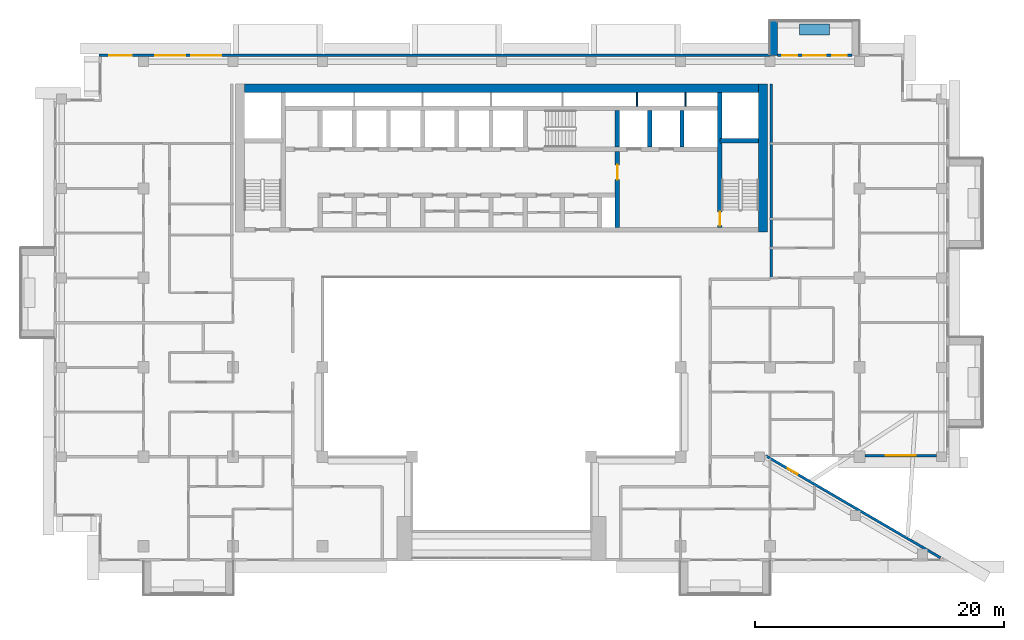
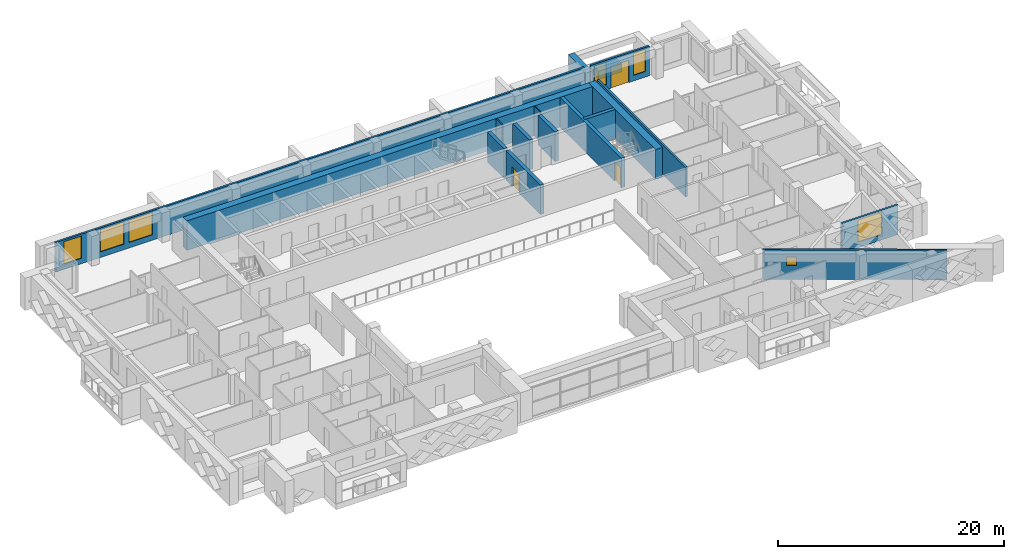
# One storey, part 11 of 20: 17 walls, 7 windows, 3 doors, 10 openings.
"""IFC4 building model written with IfcOpenShell, lengths in metres."""

from ifc_helpers import new_model, si_unit, direction, frame, frame_2d, origin, place, context, subcontext, project, spatial, rectangle, extrude, material, layer, layer_set, type_object, element, fill, save


model = new_model("IFC4")

# Units and contexts
model_context = context("Model", 3, precision=1e-05, world=origin(), true_north=direction((0.0, 1.0)))
body_context = subcontext(model_context, "Body", "Model", "MODEL_VIEW")
ifc_project = project(units=[si_unit("LENGTHUNIT", "METRE"), si_unit("AREAUNIT", "SQUARE_METRE"), si_unit("VOLUMEUNIT", "CUBIC_METRE"), si_unit("PLANEANGLEUNIT", "RADIAN"), si_unit("MASSUNIT", "GRAM", prefix="KILO")], contexts=[model_context])

# Site, building, storey
site_placement = place(None, origin())
site = spatial("IfcSite", under=ifc_project, at=site_placement, CompositionType="ELEMENT")
building_placement = place(site_placement, origin())
building = spatial("IfcBuilding", under=site, at=building_placement, Name="Saffron Iwan Residences", CompositionType="ELEMENT")
storey_placement = place(building_placement, frame((0.0, 0.0, 188.5)))
storey = spatial("IfcBuildingStorey", under=building, at=storey_placement, Name="L50", CompositionType="ELEMENT", Elevation=188.5)

# Walls
ifc_material_1 = material(Name="Concrete C50/60 white painted", Category="concrete")
ifc_layer_1 = layer(ifc_material_1, 0.60009765625)
ifc_layer_set_1 = layer_set([ifc_layer_1], Name="Concrete C50/60 white painted")
wall_type_1 = type_object("IfcWallType", Name="BALCONY FIN 600", PredefinedType="SOLIDWALL", material=ifc_layer_set_1)
wall_1_placement = place(storey_placement, frame((72.300048828125, 80.300048828125, 0.0), z_axis=(0.0, 0.0, 1.0), x_axis=(0.0, 1.0, 0.0)))
element("IfcWall", 1, at=wall_1_placement, inside=storey, type_object=wall_type_1, Name="Balcony fin L50 F5-0b", PredefinedType="SOLIDWALL", context=body_context, shape_type="SweptSolid", body=[
    extrude(rectangle(XDim=2.800048828125, YDim=0.60009765625, at=frame_2d((1.39990234375, 0.0))), origin(), (0.0, 0.0, 1.0), 2.85009765625),
])
ifc_material_2 = material(Name="Concrete C35/45 white painted", Category="concrete")
ifc_layer_2 = layer(ifc_material_2, 0.14990234375)
ifc_layer_set_2 = layer_set([ifc_layer_2], Name="Concrete C35/45 white painted")
wall_type_2 = type_object("IfcWallType", Name="BALCONY PLANTER", PredefinedType="SOLIDWALL", material=ifc_layer_set_2)
wall_2_placement = place(storey_placement, frame((76.800048828125, 82.375, 0.0), z_axis=(0.0, 0.0, 1.0), x_axis=(-1.0, 0.0, 0.0)))
element("IfcWall", 2, at=wall_2_placement, inside=storey, type_object=wall_type_2, Name="PLANTER L50 F5-0", PredefinedType="SOLIDWALL", context=body_context, shape_type="SweptSolid", body=[
    extrude(rectangle(XDim=2.400146484375, YDim=0.89990234375, at=frame_2d((1.2001953125, 0.0))), origin(), (0.0, 0.0, 1.0), 0.89990234375),
])

# Wall, opening, window
ifc_material_3 = material(Name="Concrete C40/50", Category="concrete")
ifc_layer_3 = layer(ifc_material_3, 0.199951171875)
ifc_layer_set_3 = layer_set([ifc_layer_3], Name="Concrete C40/50")
wall_type_3 = type_object("IfcWallType", Name="EXTERNAL WALL 200", PredefinedType="SOLIDWALL", material=ifc_layer_set_3)
wall_3_placement = place(storey_placement, frame((85.71923828125, 39.88134765625, 0.0), z_axis=(0.0, 0.0, 1.0), x_axis=(-0.86377618652, 0.503875678716, 0.0)))
wall_3 = element("IfcWall", 3, at=wall_3_placement, inside=storey, type_object=wall_type_3, Name="External wall L50 F0.0", PredefinedType="SOLIDWALL", context=body_context, shape_type="SweptSolid", body=[
    extrude(rectangle(XDim=16.31103515625, YDim=0.199951171875, at=frame_2d((8.155517578125, 0.0))), origin(), (0.0, 0.0, 1.0), 3.199951171875),
])
opening_1_placement = place(wall_3_placement, frame((13.32568359375, 0.0, 1.5)))
opening_1 = element("IfcOpeningElement", 4, at=opening_1_placement, cuts=wall_3, Name="Opening W6", PredefinedType="OPENING", context=body_context, shape_type="SweptSolid", body=[
    extrude(rectangle(XDim=0.89990234375, YDim=0.89990234375, at=frame_2d((0.449951171875, 0.449951171875))), frame((0.0, 0.10986328125, 0.0), z_axis=(0.0, -1.0, 0.0), x_axis=(1.0, 0.0, 0.0)), (0.0, 0.0, 1.0), 0.219970703125),
])
ifc_material_4 = material(Name="Clear glass, laminated double glazed", Category="glass")
window_type_1 = type_object("IfcWindowType", Name="WINDOW 900 x 900 BATH", PartitioningType="SINGLE_PANEL", PredefinedType="WINDOW", material=ifc_material_4)
window_1_placement = place(opening_1_placement, origin())
window_1 = element("IfcWindow", 5, at=window_1_placement, inside=storey, type_object=window_type_1, Name="Window L50 F0.0", OverallHeight=0.89990234375, OverallWidth=0.89990234375, PartitioningType="SINGLE_PANEL", PredefinedType="WINDOW", context=body_context, shape_type="SweptSolid", body=[
    extrude(rectangle(XDim=0.89990234375, YDim=0.89990234375, at=frame_2d((0.449951171875, 0.449951171875))), frame((0.0, 0.030029296875, 0.0), z_axis=(0.0, -1.0, 0.0), x_axis=(1.0, 0.0, 0.0)), (0.0, 0.0, 1.0), 0.06005859375),
])
fill(opening_1, window_1)

wall_4_placement = place(storey_placement, frame((79.64990234375, 48.10009765625, 0.0), z_axis=(0.0, 0.0, 1.0), x_axis=(1.0, 0.0, 0.0)))
wall_4 = element("IfcWall", 6, at=wall_4_placement, inside=storey, type_object=wall_type_3, Name="External wall L50 F1.1", PredefinedType="SOLIDWALL", context=body_context, shape_type="SweptSolid", body=[
    extrude(rectangle(XDim=5.75, YDim=0.199951171875, at=frame_2d((2.875, 0.0))), origin(), (0.0, 0.0, 1.0), 3.199951171875),
])
opening_2_placement = place(wall_4_placement, frame((1.675048828125, 0.0, 0.60009765625)))
opening_2 = element("IfcOpeningElement", 7, at=opening_2_placement, cuts=wall_4, Name="Opening W1", PredefinedType="OPENING", context=body_context, shape_type="SweptSolid", body=[
    extrude(rectangle(XDim=2.39990234375, YDim=2.39990234375, at=frame_2d((1.199951171875, 1.199951171875))), frame((0.0, 0.10986328125, 0.0), z_axis=(0.0, -1.0, 0.0), x_axis=(1.0, 0.0, 0.0)), (0.0, 0.0, 1.0), 0.219970703125),
])
window_type_2 = type_object("IfcWindowType", Name="WINDOW 2400 x 2400", PartitioningType="DOUBLE_PANEL_VERTICAL", PredefinedType="WINDOW", material=ifc_material_4)
window_2_placement = place(opening_2_placement, origin())
window_2 = element("IfcWindow", 8, at=window_2_placement, inside=storey, type_object=window_type_2, Name="Window L50 F1.0", OverallHeight=2.39990234375, OverallWidth=2.39990234375, PartitioningType="DOUBLE_PANEL_VERTICAL", PredefinedType="WINDOW", context=body_context, shape_type="SweptSolid", body=[
    extrude(rectangle(XDim=2.39990234375, YDim=2.39990234375, at=frame_2d((1.199951171875, 1.199951171875))), frame((0.0, 0.030029296875, 0.0), z_axis=(0.0, -1.0, 0.0), x_axis=(1.0, 0.0, 0.0)), (0.0, 0.0, 1.0), 0.06005859375),
])
fill(opening_2, window_2)

# Wall, openings, door, windows
wall_5_placement = place(storey_placement, frame((78.60009765625, 80.300048828125, 0.0), z_axis=(0.0, 0.0, 1.0), x_axis=(-1.0, 0.0, 0.0)))
wall_5 = element("IfcWall", 9, at=wall_5_placement, inside=storey, type_object=wall_type_3, Name="External wall L50 F5.1", PredefinedType="SOLIDWALL", context=body_context, shape_type="SweptSolid", body=[
    extrude(rectangle(XDim=6.0, YDim=0.199951171875, at=frame_2d((3.0, 0.0))), origin(), (0.0, 0.0, 1.0), 3.199951171875),
])
opening_3_placement = place(wall_5_placement, frame((2.10009765625, 0.0, 0.0)))
opening_3 = element("IfcOpeningElement", 10, at=opening_3_placement, cuts=wall_5, Name="Opening BD1", PredefinedType="OPENING", context=body_context, shape_type="SweptSolid", body=[
    extrude(rectangle(XDim=1.800048828125, YDim=2.39990234375, at=frame_2d((0.89990234375, 1.199951171875))), frame((0.0, 0.10986328125, 0.0), z_axis=(0.0, -1.0, 0.0), x_axis=(1.0, 0.0, 0.0)), (0.0, 0.0, 1.0), 0.219970703125),
])
opening_4_placement = place(wall_5_placement, frame((0.39990234375, 0.0, 0.60009765625)))
opening_4 = element("IfcOpeningElement", 11, at=opening_4_placement, cuts=wall_5, Name="Opening W3", PredefinedType="OPENING", context=body_context, shape_type="SweptSolid", body=[
    extrude(rectangle(XDim=1.199951171875, YDim=2.39990234375, at=frame_2d((0.60009765625, 1.199951171875))), frame((0.0, 0.10986328125, 0.0), z_axis=(0.0, -1.0, 0.0), x_axis=(1.0, 0.0, 0.0)), (0.0, 0.0, 1.0), 0.219970703125),
])
opening_5_placement = place(wall_5_placement, frame((4.39990234375, 0.0, 0.60009765625)))
opening_5 = element("IfcOpeningElement", 12, at=opening_5_placement, cuts=wall_5, Name="Opening W3", PredefinedType="OPENING", context=body_context, shape_type="SweptSolid", body=[
    extrude(rectangle(XDim=1.199951171875, YDim=2.39990234375, at=frame_2d((0.60009765625, 1.199951171875))), frame((0.0, 0.10986328125, 0.0), z_axis=(0.0, -1.0, 0.0), x_axis=(1.0, 0.0, 0.0)), (0.0, 0.0, 1.0), 0.219970703125),
])
door_type_1 = type_object("IfcDoorType", Name="BALCONY DOOR 1800 x 2400", OperationType="DOUBLE_DOOR_SLIDING", PredefinedType="DOOR", material=ifc_material_4)
door_1_placement = place(opening_3_placement, origin())
door_1 = element("IfcDoor", 13, at=door_1_placement, inside=storey, type_object=door_type_1, Name="Balcony door L50 F5.0", OperationType="DOUBLE_DOOR_SLIDING", OverallHeight=2.39990234375, OverallWidth=1.800048828125, PredefinedType="DOOR", context=body_context, shape_type="SweptSolid", body=[
    extrude(rectangle(XDim=1.800048828125, YDim=2.39990234375, at=frame_2d((0.89990234375, 1.199951171875))), frame((0.0, 0.02490234375, 0.0), z_axis=(0.0, -1.0, 0.0), x_axis=(1.0, 0.0, 0.0)), (0.0, 0.0, 1.0), 0.050048828125),
])
fill(opening_3, door_1)
window_type_3 = type_object("IfcWindowType", Name="WINDOW 1200 x 2400", PartitioningType="SINGLE_PANEL", PredefinedType="WINDOW", material=ifc_material_4)
window_3_placement = place(opening_4_placement, origin())
window_3 = element("IfcWindow", 14, at=window_3_placement, inside=storey, type_object=window_type_3, Name="Window L50 F5.1", OverallHeight=2.39990234375, OverallWidth=1.199951171875, PartitioningType="SINGLE_PANEL", PredefinedType="WINDOW", context=body_context, shape_type="SweptSolid", body=[
    extrude(rectangle(XDim=1.199951171875, YDim=2.39990234375, at=frame_2d((0.60009765625, 1.199951171875))), frame((0.0, 0.030029296875, 0.0), z_axis=(0.0, -1.0, 0.0), x_axis=(1.0, 0.0, 0.0)), (0.0, 0.0, 1.0), 0.06005859375),
])
fill(opening_4, window_3)
window_4_placement = place(opening_5_placement, origin())
window_4 = element("IfcWindow", 15, at=window_4_placement, inside=storey, type_object=window_type_3, Name="Window L50 F5.2", OverallHeight=2.39990234375, OverallWidth=1.199951171875, PartitioningType="SINGLE_PANEL", PredefinedType="WINDOW", context=body_context, shape_type="SweptSolid", body=[
    extrude(rectangle(XDim=1.199951171875, YDim=2.39990234375, at=frame_2d((0.60009765625, 1.199951171875))), frame((0.0, 0.030029296875, 0.0), z_axis=(0.0, -1.0, 0.0), x_axis=(1.0, 0.0, 0.0)), (0.0, 0.0, 1.0), 0.06005859375),
])
fill(opening_5, window_4)

# Wall, openings, windows
wall_6_placement = place(storey_placement, frame((72.0, 80.300048828125, 0.0), z_axis=(0.0, 0.0, 1.0), x_axis=(-1.0, 0.0, 0.0)))
wall_6 = element("IfcWall", 16, at=wall_6_placement, inside=storey, type_object=wall_type_3, Name="External wall L50 F5.2", PredefinedType="SOLIDWALL", context=body_context, shape_type="SweptSolid", body=[
    extrude(rectangle(XDim=54.0, YDim=0.199951171875, at=frame_2d((27.0, 0.0))), origin(), (0.0, 0.0, 1.0), 3.199951171875),
])
opening_6_placement = place(wall_6_placement, frame((44.14990234375, 0.0, 0.60009765625)))
opening_6 = element("IfcOpeningElement", 17, at=opening_6_placement, cuts=wall_6, Name="Opening W1", PredefinedType="OPENING", context=body_context, shape_type="SweptSolid", body=[
    extrude(rectangle(XDim=2.39990234375, YDim=2.39990234375, at=frame_2d((1.199951171875, 1.199951171875))), frame((0.0, 0.10986328125, 0.0), z_axis=(0.0, -1.0, 0.0), x_axis=(1.0, 0.0, 0.0)), (0.0, 0.0, 1.0), 0.219970703125),
])
opening_7_placement = place(wall_6_placement, frame((47.050048828125, 0.0, 0.60009765625)))
opening_7 = element("IfcOpeningElement", 18, at=opening_7_placement, cuts=wall_6, Name="Opening W1", PredefinedType="OPENING", context=body_context, shape_type="SweptSolid", body=[
    extrude(rectangle(XDim=2.39990234375, YDim=2.39990234375, at=frame_2d((1.199951171875, 1.199951171875))), frame((0.0, 0.10986328125, 0.0), z_axis=(0.0, -1.0, 0.0), x_axis=(1.0, 0.0, 0.0)), (0.0, 0.0, 1.0), 0.219970703125),
])
opening_8_placement = place(wall_6_placement, frame((51.375, 0.0, 0.60009765625)))
opening_8 = element("IfcOpeningElement", 19, at=opening_8_placement, cuts=wall_6, Name="Opening W8", PredefinedType="OPENING", context=body_context, shape_type="SweptSolid", body=[
    extrude(rectangle(XDim=1.800048828125, YDim=2.39990234375, at=frame_2d((0.89990234375, 1.199951171875))), frame((0.0, 0.10986328125, 0.0), z_axis=(0.0, -1.0, 0.0), x_axis=(1.0, 0.0, 0.0)), (0.0, 0.0, 1.0), 0.219970703125),
])
window_type_4 = type_object("IfcWindowType", Name="WINDOW 1800 x 2400", PartitioningType="DOUBLE_PANEL_VERTICAL", PredefinedType="WINDOW", material=ifc_material_4)
window_5_placement = place(opening_8_placement, origin())
window_5 = element("IfcWindow", 20, at=window_5_placement, inside=storey, type_object=window_type_4, Name="Window L50 F5.2", OverallHeight=2.39990234375, OverallWidth=1.800048828125, PartitioningType="DOUBLE_PANEL_VERTICAL", PredefinedType="WINDOW", context=body_context, shape_type="SweptSolid", body=[
    extrude(rectangle(XDim=1.800048828125, YDim=2.39990234375, at=frame_2d((0.89990234375, 1.199951171875))), frame((0.0, 0.030029296875, 0.0), z_axis=(0.0, -1.0, 0.0), x_axis=(1.0, 0.0, 0.0)), (0.0, 0.0, 1.0), 0.06005859375),
])
fill(opening_8, window_5)
window_6_placement = place(opening_6_placement, origin())
window_6 = element("IfcWindow", 21, at=window_6_placement, inside=storey, type_object=window_type_2, Name="Window L50 F5.0", OverallHeight=2.39990234375, OverallWidth=2.39990234375, PartitioningType="DOUBLE_PANEL_VERTICAL", PredefinedType="WINDOW", context=body_context, shape_type="SweptSolid", body=[
    extrude(rectangle(XDim=2.39990234375, YDim=2.39990234375, at=frame_2d((1.199951171875, 1.199951171875))), frame((0.0, 0.030029296875, 0.0), z_axis=(0.0, -1.0, 0.0), x_axis=(1.0, 0.0, 0.0)), (0.0, 0.0, 1.0), 0.06005859375),
])
fill(opening_6, window_6)
window_7_placement = place(opening_7_placement, origin())
window_7 = element("IfcWindow", 22, at=window_7_placement, inside=storey, type_object=window_type_2, Name="Window L50 F5.1", OverallHeight=2.39990234375, OverallWidth=2.39990234375, PartitioningType="DOUBLE_PANEL_VERTICAL", PredefinedType="WINDOW", context=body_context, shape_type="SweptSolid", body=[
    extrude(rectangle(XDim=2.39990234375, YDim=2.39990234375, at=frame_2d((1.199951171875, 1.199951171875))), frame((0.0, 0.030029296875, 0.0), z_axis=(0.0, -1.0, 0.0), x_axis=(1.0, 0.0, 0.0)), (0.0, 0.0, 1.0), 0.06005859375),
])
fill(opening_7, window_7)

# Walls
ifc_material_5 = material(Name="Fire-rated gypsum board wall")
ifc_layer_4 = layer(ifc_material_5, 0.199951171875)
ifc_layer_set_4 = layer_set([ifc_layer_4], Name="Fire-rated gypsum board wall")
wall_type_4 = type_object("IfcWallType", Name="Gallery wall 200", PredefinedType="SOLIDWALL", material=ifc_layer_set_4)
wall_7_placement = place(storey_placement, frame((72.10009765625, 62.39990234375, 0.0), z_axis=(0.0, 0.0, 1.0), x_axis=(0.0, 1.0, 0.0)))
element("IfcWall", 23, at=wall_7_placement, inside=storey, type_object=wall_type_4, Name="W-L50-CORR-v72-62.4", PredefinedType="SOLIDWALL", context=body_context, shape_type="SweptSolid", body=[
    extrude(rectangle(XDim=15.60009765625, YDim=0.199951171875, at=frame_2d((7.800048828125, 0.0))), origin(), (0.0, 0.0, 1.0), 3.199951171875),
])
ifc_material_6 = material(Name="Fire-rated plasterboard partition")
ifc_layer_5 = layer(ifc_material_6, 0.10009765625)
ifc_layer_set_5 = layer_set([ifc_layer_5], Name="Fire-rated plasterboard partition")
wall_type_5 = type_object("IfcWallType", Name="Riser partition 100", PredefinedType="PARTITIONING", material=ifc_layer_set_5)
for number, where, z_axis, x_axis, name in (
    (24, (61.300048828125, 76.22509765625, 0.0), (0.0, 0.0, 1.0), (0.0, 1.0, 0.0), "Core partition P12"),
    (25, (65.199951171875, 76.22509765625, 0.0), (0.0, 0.0, 1.0), (0.0, 1.0, 0.0), "Core partition P13"),
):
    element("IfcWall", number, at=place(storey_placement, frame(where, z_axis=z_axis, x_axis=x_axis)), inside=storey, type_object=wall_type_5, Name=name, PredefinedType="PARTITIONING", context=body_context, shape_type="SweptSolid", body=[
        extrude(rectangle(XDim=1.074951171875, YDim=0.10009765625, at=frame_2d((0.53759765625, 0.0))), origin(), (0.0, 0.0, 1.0), 3.199951171875),
    ])
ifc_material_7 = material(Name="Concrete C50/60", Category="concrete")
ifc_layer_6 = layer(ifc_material_7, 0.35009765625)
ifc_layer_set_6 = layer_set([ifc_layer_6], Name="Concrete C50/60")
wall_type_6 = type_object("IfcWallType", Name="WALL CORE 350 C50/60 3200 HIGH", PredefinedType="SHEAR", material=ifc_layer_set_6)
wall_8_placement = place(storey_placement, frame((67.97509765625, 73.425048828125, 0.0), z_axis=(0.0, 0.0, 1.0), x_axis=(1.0, 0.0, 0.0)))
element("IfcWall", 26, at=wall_8_placement, inside=storey, type_object=wall_type_6, Name="Core wall", PredefinedType="SHEAR", context=body_context, shape_type="SweptSolid", body=[
    extrude(rectangle(XDim=3.125, YDim=0.35009765625, at=frame_2d((1.5625, 0.0))), origin(), (0.0, 0.0, 1.0), 3.199951171875),
])

# Wall, opening, door
wall_9_placement = place(storey_placement, frame((67.97509765625, 66.449951171875, 0.0), z_axis=(0.0, 0.0, 1.0), x_axis=(0.0, 1.0, 0.0)))
wall_9 = element("IfcWall", 27, at=wall_9_placement, inside=storey, type_object=wall_type_6, Name="Core wall", PredefinedType="SHEAR", context=body_context, shape_type="SweptSolid", body=[
    extrude(rectangle(XDim=10.85009765625, YDim=0.35009765625, at=frame_2d((5.425048828125, 0.0))), origin(), (0.0, 0.0, 1.0), 3.199951171875),
])
opening_9_placement = place(wall_9_placement, frame((0.14990234375, 0.0, 0.0)))
opening_9 = element("IfcOpeningElement", 28, at=opening_9_placement, cuts=wall_9, Name="Opening SD", PredefinedType="OPENING", context=body_context, shape_type="SweptSolid", body=[
    extrude(rectangle(XDim=1.10009765625, YDim=2.10009765625, at=frame_2d((0.550048828125, 1.050048828125))), frame((0.0, 0.18505859375, 0.0), z_axis=(0.0, -1.0, 0.0), x_axis=(1.0, 0.0, 0.0)), (0.0, 0.0, 1.0), 0.3701171875),
])
ifc_material_8 = material(Name="Steel fire door", Category="steel")
door_type_2 = type_object("IfcDoorType", Name="Stair door 1100", OperationType="NOTDEFINED", PredefinedType="DOOR", material=ifc_material_8)
door_2_placement = place(opening_9_placement, origin())
door_2 = element("IfcDoor", 29, at=door_2_placement, inside=storey, type_object=door_type_2, Name="Stair door ST-E", OperationType="SINGLE_SWING_LEFT", OverallHeight=2.10009765625, OverallWidth=1.10009765625, PredefinedType="DOOR", context=body_context, shape_type="SweptSolid", body=[
    extrude(rectangle(XDim=1.10009765625, YDim=2.10009765625, at=frame_2d((0.550048828125, 1.050048828125))), frame((0.0, 0.02490234375, 0.0), z_axis=(0.0, -1.0, 0.0), x_axis=(1.0, 0.0, 0.0)), (0.0, 0.0, 1.0), 0.050048828125),
])
fill(opening_9, door_2)

wall_10_placement = place(storey_placement, frame((59.72509765625, 66.449951171875, 0.0), z_axis=(0.0, 0.0, 1.0), x_axis=(0.0, 1.0, 0.0)))
wall_10 = element("IfcWall", 30, at=wall_10_placement, inside=storey, type_object=wall_type_6, Name="Core wall", PredefinedType="SHEAR", context=body_context, shape_type="SweptSolid", body=[
    extrude(rectangle(XDim=6.125, YDim=0.35009765625, at=frame_2d((3.0625, 0.0))), origin(), (0.0, 0.0, 1.0), 3.199951171875),
])
opening_10_placement = place(wall_10_placement, frame((3.85009765625, 0.0, 0.0)))
opening_10 = element("IfcOpeningElement", 31, at=opening_10_placement, cuts=wall_10, Name="Opening FD", PredefinedType="OPENING", context=body_context, shape_type="SweptSolid", body=[
    extrude(rectangle(XDim=1.199951171875, YDim=2.10009765625, at=frame_2d((0.60009765625, 1.050048828125))), frame((0.0, 0.18505859375, 0.0), z_axis=(0.0, -1.0, 0.0), x_axis=(1.0, 0.0, 0.0)), (0.0, 0.0, 1.0), 0.3701171875),
])
door_type_3 = type_object("IfcDoorType", Name="Firefighting lobby door 1200", OperationType="NOTDEFINED", PredefinedType="DOOR", material=ifc_material_8)
door_3_placement = place(opening_10_placement, origin())
door_3 = element("IfcDoor", 32, at=door_3_placement, inside=storey, type_object=door_type_3, Name="Firefighting lobby door", OperationType="SINGLE_SWING_LEFT", OverallHeight=2.10009765625, OverallWidth=1.199951171875, PredefinedType="DOOR", context=body_context, shape_type="SweptSolid", body=[
    extrude(rectangle(XDim=1.199951171875, YDim=2.10009765625, at=frame_2d((0.60009765625, 1.050048828125))), frame((0.0, 0.02490234375, 0.0), z_axis=(0.0, -1.0, 0.0), x_axis=(1.0, 0.0, 0.0)), (0.0, 0.0, 1.0), 0.050048828125),
])
fill(opening_10, door_3)

# Walls
for number, where, z_axis, x_axis, name in (
    (33, (59.72509765625, 72.925048828125, 0.0), (0.0, 0.0, 1.0), (0.0, 1.0, 0.0), "Core wall"),
    (34, (62.324951171875, 72.925048828125, 0.0), (0.0, 0.0, 1.0), (0.0, 1.0, 0.0), "Core wall"),
    (35, (64.925048828125, 72.925048828125, 0.0), (0.0, 0.0, 1.0), (0.0, 1.0, 0.0), "Core wall"),
):
    element("IfcWall", number, at=place(storey_placement, frame(where, z_axis=z_axis, x_axis=x_axis)), inside=storey, type_object=wall_type_6, Name=name, PredefinedType="SHEAR", context=body_context, shape_type="SweptSolid", body=[
        extrude(rectangle(XDim=2.949951171875, YDim=0.35009765625, at=frame_2d((1.47509765625, 0.0))), origin(), (0.0, 0.0, 1.0), 3.199951171875),
    ])
ifc_layer_7 = layer(ifc_material_7, 0.699951171875)
ifc_layer_set_7 = layer_set([ifc_layer_7], Name="Concrete C50/60")
wall_type_7 = type_object("IfcWallType", Name="WALL CORE 700 C50/60 3200 HIGH", PredefinedType="SHEAR", material=ifc_layer_set_7)
wall_11_placement = place(storey_placement, frame((71.449951171875, 66.10009765625, 0.0), z_axis=(0.0, 0.0, 1.0), x_axis=(0.0, 1.0, 0.0)))
element("IfcWall", 36, at=wall_11_placement, inside=storey, type_object=wall_type_7, Name="Core wall", PredefinedType="SHEAR", context=body_context, shape_type="SweptSolid", body=[
    extrude(rectangle(XDim=11.89990234375, YDim=0.699951171875, at=frame_2d((5.949951171875, 0.0))), origin(), (0.0, 0.0, 1.0), 3.199951171875),
])
wall_12_placement = place(storey_placement, frame((29.699951171875, 77.64990234375, 0.0), z_axis=(0.0, 0.0, 1.0), x_axis=(1.0, 0.0, 0.0)))
element("IfcWall", 37, at=wall_12_placement, inside=storey, type_object=wall_type_7, Name="Core wall", PredefinedType="SHEAR", context=body_context, shape_type="SweptSolid", body=[
    extrude(rectangle(XDim=41.400146484375, YDim=0.699951171875, at=frame_2d((20.7001953125, 0.0))), origin(), (0.0, 0.0, 1.0), 3.199951171875),
])

save(model, "model.ifc")
